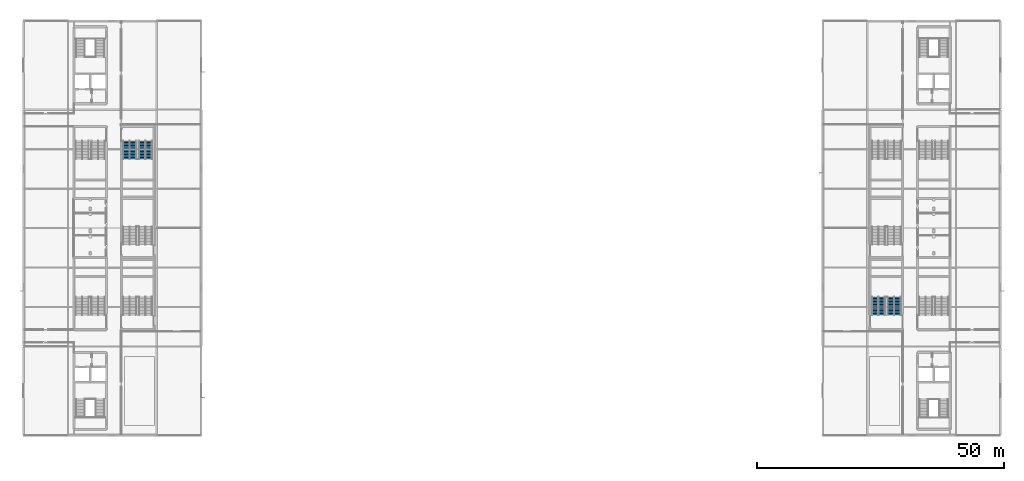
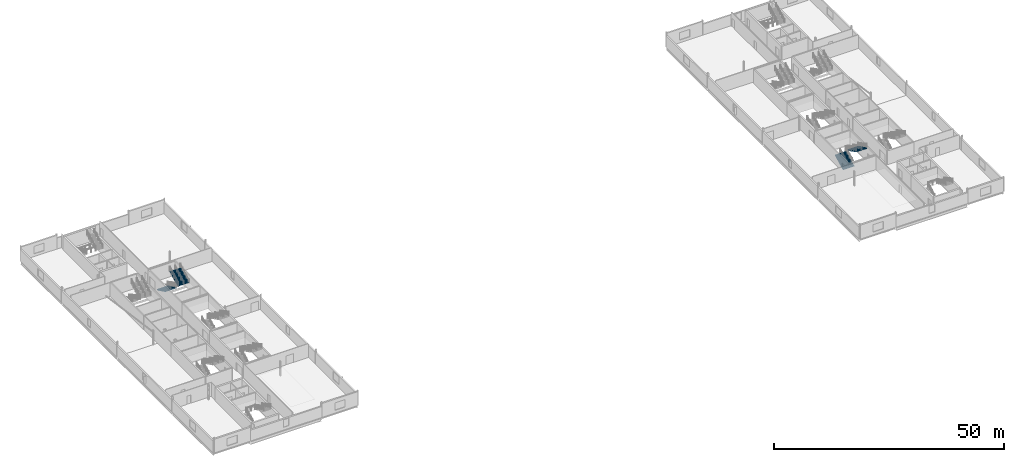
# One storey, part 28 of 35: 4 stair flights, 2 elements without a shape of their own.
"""IFC4 building model written with IfcOpenShell, lengths in metres."""

from ifc_helpers import new_model, si_unit, direction, frame, origin, place, context, subcontext, project, spatial, polygons, material, type_object, element, aggregate, save


model = new_model("IFC4")

# Units and contexts
model_context = context("Model", 3, precision=1e-05, world=origin(), true_north=direction((0.0, 1.0)))
body_context = subcontext(model_context, "Body", "Model", "MODEL_VIEW")
ifc_project = project(units=[si_unit("LENGTHUNIT", "METRE"), si_unit("AREAUNIT", "SQUARE_METRE"), si_unit("VOLUMEUNIT", "CUBIC_METRE"), si_unit("PLANEANGLEUNIT", "RADIAN"), si_unit("MASSUNIT", "GRAM", prefix="KILO")], contexts=[model_context])

# Site, building, storey
site_placement = place(None, origin())
site = spatial("IfcSite", under=ifc_project, at=site_placement, CompositionType="ELEMENT")
building_placement = place(site_placement, origin())
building = spatial("IfcBuilding", under=site, at=building_placement, Name="Kisiwana Market Hall", CompositionType="ELEMENT")
storey_placement = place(building_placement, frame((0.0, 0.0, 61.800048828125)))
storey = spatial("IfcBuildingStorey", under=building, at=storey_placement, Name="L14", CompositionType="ELEMENT", Elevation=61.800048828125)

# Stair, stair flights
ifc_material_1 = material(Name="Concrete C32/40", Category="concrete")
stair_type = type_object("IfcStairType", Name="ST-ESC-3900", PredefinedType="TWO_STRAIGHT_RUN_STAIR", material=ifc_material_1)
stair_1_placement = place(storey_placement, origin())
stair_1 = element("IfcStair", 1, at=stair_1_placement, inside=storey, type_object=stair_type, Name="Escape stair ST-E7-L14", PredefinedType="TWO_STRAIGHT_RUN_STAIR")
ifc_material_2 = material(Name="Concrete C32/40", Category="concrete")
stair_flight_type = type_object("IfcStairFlightType", Name="SF-ESC-3900", PredefinedType="STRAIGHT", material=ifc_material_2)
stair_flight_1_placement = place(storey_placement, frame((173.2900390625, 42.360107421875, 0.0), z_axis=(0.0, 0.0, 1.0), x_axis=(0.0, 1.0, 0.0)))
stair_flight_1 = element("IfcStairFlight", 2, at=stair_flight_1_placement, type_object=stair_flight_type, Name="ST-E7-L14 flight 1", NumberOfRisers=13, NumberOfTreads=12, PredefinedType="STRAIGHT", RiserHeight=0.15, TreadLength=0.305, context=body_context, shape_type="Tessellation", body=[
    polygons([(0.0, -1.380127, 0.0), (0.0, -0.690125, 0.0), (0.0, -0.000122, 0.0), (0.0, 0.68988, 0.0), (0.0, 1.379883, 0.0), (0.0, -1.380127, 0.149902), (0.0, -0.690125, 0.149902), (0.0, -0.000122, 0.149902), (0.0, 0.68988, 0.149902), (0.0, 1.379883, 0.149902), (0.304932, -1.380127, 0.149902), (0.304932, -0.690125, 0.149902), (0.304932, -0.000122, 0.149902), (0.304932, 0.68988, 0.149902), (0.304932, 1.379883, 0.149902), (0.304932, -1.380127, 0.300049), (0.304932, -0.690125, 0.300049), (0.304932, -0.000122, 0.300049), (0.304932, 0.68988, 0.300049), (0.304932, 1.379883, 0.300049), (0.610107, -1.380127, 0.300049), (0.610107, -0.690125, 0.300049), (0.610107, -0.000122, 0.300049), (0.610107, 0.68988, 0.300049), (0.610107, 1.379883, 0.300049), (0.610107, -1.380127, 0.449951), (0.610107, -0.690125, 0.449951), (0.610107, -0.000122, 0.449951), (0.610107, 0.68988, 0.449951), (0.610107, 1.379883, 0.449951), (0.915039, -1.380127, 0.449951), (0.915039, -0.690125, 0.449951), (0.915039, -0.000122, 0.449951), (0.915039, 0.68988, 0.449951), (0.915039, 1.379883, 0.449951), (0.915039, -1.380127, 0.600098), (0.915039, -0.690125, 0.600098), (0.915039, -0.000122, 0.600098), (0.915039, 0.68988, 0.600098), (0.915039, 1.379883, 0.600098), (1.219971, -1.380127, 0.600098), (1.219971, -0.690125, 0.600098), (1.219971, -0.000122, 0.600098), (1.219971, 0.68988, 0.600098), (1.219971, 1.379883, 0.600098), (1.219971, -1.380127, 0.75), (1.219971, -0.690125, 0.75), (1.219971, -0.000122, 0.75), (1.219971, 0.68988, 0.75), (1.219971, 1.379883, 0.75), (1.524902, -1.380127, 0.75), (1.524902, -0.690125, 0.75), (1.524902, -0.000122, 0.75), (1.524902, 0.68988, 0.75), (1.524902, 1.379883, 0.75), (1.524902, -1.380127, 0.899902), (1.524902, -0.690125, 0.899902), (1.524902, -0.000122, 0.899902), (1.524902, 0.68988, 0.899902), (1.524902, 1.379883, 0.899902), (1.830078, -1.380127, 0.899902), (1.830078, -0.690125, 0.899902), (1.830078, -0.000122, 0.899902), (1.830078, 0.68988, 0.899902), (1.830078, 1.379883, 0.899902), (1.830078, -1.380127, 1.050049), (1.830078, -0.690125, 1.050049), (1.830078, -0.000122, 1.050049), (1.830078, 0.68988, 1.050049), (1.830078, 1.379883, 1.050049), (2.13501, -1.380127, 1.050049), (2.13501, -0.690125, 1.050049), (2.13501, -0.000122, 1.050049), (2.13501, 0.68988, 1.050049), (2.13501, 1.379883, 1.050049), (2.13501, -1.380127, 1.199951), (2.13501, -0.690125, 1.199951), (2.13501, -0.000122, 1.199951), (2.13501, 0.68988, 1.199951), (2.13501, 1.379883, 1.199951), (2.439941, -1.380127, 1.199951), (2.439941, -0.690125, 1.199951), (2.439941, -0.000122, 1.199951), (2.439941, 0.68988, 1.199951), (2.439941, 1.379883, 1.199951), (2.439941, -1.380127, 1.350098), (2.439941, -0.690125, 1.350098), (2.439941, -0.000122, 1.350098), (2.439941, 0.68988, 1.350098), (2.439941, 1.379883, 1.350098), (2.745117, -1.380127, 1.350098), (2.745117, -0.690125, 1.350098), (2.745117, -0.000122, 1.350098), (2.745117, 0.68988, 1.350098), (2.745117, 1.379883, 1.350098), (2.745117, -1.380127, 1.5), (2.745117, -0.690125, 1.5), (2.745117, -0.000122, 1.5), (2.745117, 0.68988, 1.5), (2.745117, 1.379883, 1.5), (3.050049, -1.380127, 1.5), (3.050049, -0.690125, 1.5), (3.050049, -0.000122, 1.5), (3.050049, 0.68988, 1.5), (3.050049, 1.379883, 1.5), (3.050049, -1.380127, 1.649902), (3.050049, -0.690125, 1.649902), (3.050049, -0.000122, 1.649902), (3.050049, 0.68988, 1.649902), (3.050049, 1.379883, 1.649902), (3.35498, -1.380127, 1.649902), (3.35498, -0.690125, 1.649902), (3.35498, -0.000122, 1.649902), (3.35498, 0.68988, 1.649902), (3.35498, 1.379883, 1.649902), (3.35498, -1.380127, 1.800049), (3.35498, -0.690125, 1.800049), (3.35498, -0.000122, 1.800049), (3.35498, 0.68988, 1.800049), (3.35498, 1.379883, 1.800049), (3.659912, -1.380127, 1.800049), (3.659912, -0.690125, 1.800049), (3.659912, -0.000122, 1.800049), (3.659912, 0.68988, 1.800049), (3.659912, 1.379883, 1.800049), (3.659912, -1.380127, 1.599365), (3.659912, -0.690125, 1.599365), (3.659912, -0.000122, 1.599365), (3.659912, 0.68988, 1.599365), (3.659912, 1.379883, 1.599365), (0.407715, -1.380127, 0.0), (0.407715, -0.690125, 0.0), (0.407715, -0.000122, 0.0), (0.407715, 0.68988, 0.0), (0.407715, 1.379883, 0.0)], [[[1, 6, 7, 2]], [[2, 7, 8, 3]], [[3, 8, 9, 4]], [[4, 9, 10, 5]], [[6, 11, 12, 7]], [[7, 12, 13, 8]], [[8, 13, 14, 9]], [[9, 14, 15, 10]], [[11, 16, 17, 12]], [[12, 17, 18, 13]], [[13, 18, 19, 14]], [[14, 19, 20, 15]], [[16, 21, 22, 17]], [[17, 22, 23, 18]], [[18, 23, 24, 19]], [[19, 24, 25, 20]], [[21, 26, 27, 22]], [[22, 27, 28, 23]], [[23, 28, 29, 24]], [[24, 29, 30, 25]], [[26, 31, 32, 27]], [[27, 32, 33, 28]], [[28, 33, 34, 29]], [[29, 34, 35, 30]], [[31, 36, 37, 32]], [[32, 37, 38, 33]], [[33, 38, 39, 34]], [[34, 39, 40, 35]], [[36, 41, 42, 37]], [[37, 42, 43, 38]], [[38, 43, 44, 39]], [[39, 44, 45, 40]], [[41, 46, 47, 42]], [[42, 47, 48, 43]], [[43, 48, 49, 44]], [[44, 49, 50, 45]], [[46, 51, 52, 47]], [[47, 52, 53, 48]], [[48, 53, 54, 49]], [[49, 54, 55, 50]], [[51, 56, 57, 52]], [[52, 57, 58, 53]], [[53, 58, 59, 54]], [[54, 59, 60, 55]], [[56, 61, 62, 57]], [[57, 62, 63, 58]], [[58, 63, 64, 59]], [[59, 64, 65, 60]], [[61, 66, 67, 62]], [[62, 67, 68, 63]], [[63, 68, 69, 64]], [[64, 69, 70, 65]], [[66, 71, 72, 67]], [[67, 72, 73, 68]], [[68, 73, 74, 69]], [[69, 74, 75, 70]], [[71, 76, 77, 72]], [[72, 77, 78, 73]], [[73, 78, 79, 74]], [[74, 79, 80, 75]], [[76, 81, 82, 77]], [[77, 82, 83, 78]], [[78, 83, 84, 79]], [[79, 84, 85, 80]], [[81, 86, 87, 82]], [[82, 87, 88, 83]], [[83, 88, 89, 84]], [[84, 89, 90, 85]], [[86, 91, 92, 87]], [[87, 92, 93, 88]], [[88, 93, 94, 89]], [[89, 94, 95, 90]], [[91, 96, 97, 92]], [[92, 97, 98, 93]], [[93, 98, 99, 94]], [[94, 99, 100, 95]], [[96, 101, 102, 97]], [[97, 102, 103, 98]], [[98, 103, 104, 99]], [[99, 104, 105, 100]], [[101, 106, 107, 102]], [[102, 107, 108, 103]], [[103, 108, 109, 104]], [[104, 109, 110, 105]], [[106, 111, 112, 107]], [[107, 112, 113, 108]], [[108, 113, 114, 109]], [[109, 114, 115, 110]], [[111, 116, 117, 112]], [[112, 117, 118, 113]], [[113, 118, 119, 114]], [[114, 119, 120, 115]], [[116, 121, 122, 117]], [[117, 122, 123, 118]], [[118, 123, 124, 119]], [[119, 124, 125, 120]], [[121, 126, 127, 122]], [[122, 127, 128, 123]], [[123, 128, 129, 124]], [[124, 129, 130, 125]], [[126, 131, 132, 127]], [[127, 132, 133, 128]], [[128, 133, 134, 129]], [[129, 134, 135, 130]], [[131, 1, 2, 132]], [[132, 2, 3, 133]], [[133, 3, 4, 134]], [[134, 4, 5, 135]], [[131, 126, 121, 116, 111, 106, 101, 96, 91, 86, 81, 76, 71, 66, 61, 56, 51, 46, 41, 36, 31, 26, 21, 16, 11, 6, 1]], [[5, 10, 15, 20, 25, 30, 35, 40, 45, 50, 55, 60, 65, 70, 75, 80, 85, 90, 95, 100, 105, 110, 115, 120, 125, 130, 135]]], closed=True),
])
stair_flight_2_placement = place(storey_placement, frame((176.510009765625, 46.02001953125, 1.949951171875), z_axis=(0.0, 0.0, 1.0), x_axis=(0.0, -1.0, 0.0)))
stair_flight_2 = element("IfcStairFlight", 3, at=stair_flight_2_placement, type_object=stair_flight_type, Name="ST-E7-L14 flight 2", NumberOfRisers=13, NumberOfTreads=12, PredefinedType="STRAIGHT", RiserHeight=0.15, TreadLength=0.305, context=body_context, shape_type="Tessellation", body=[
    polygons([(0.0, -1.380127, 0.0), (0.0, -0.690125, 0.0), (0.0, -0.000122, 0.0), (0.0, 0.68988, 0.0), (0.0, 1.379883, 0.0), (0.0, -1.380127, 0.149902), (0.0, -0.690125, 0.149902), (0.0, -0.000122, 0.149902), (0.0, 0.68988, 0.149902), (0.0, 1.379883, 0.149902), (0.304932, -1.380127, 0.149902), (0.304932, -0.690125, 0.149902), (0.304932, -0.000122, 0.149902), (0.304932, 0.68988, 0.149902), (0.304932, 1.379883, 0.149902), (0.304932, -1.380127, 0.300049), (0.304932, -0.690125, 0.300049), (0.304932, -0.000122, 0.300049), (0.304932, 0.68988, 0.300049), (0.304932, 1.379883, 0.300049), (0.610107, -1.380127, 0.300049), (0.610107, -0.690125, 0.300049), (0.610107, -0.000122, 0.300049), (0.610107, 0.68988, 0.300049), (0.610107, 1.379883, 0.300049), (0.610107, -1.380127, 0.449951), (0.610107, -0.690125, 0.449951), (0.610107, -0.000122, 0.449951), (0.610107, 0.68988, 0.449951), (0.610107, 1.379883, 0.449951), (0.915039, -1.380127, 0.449951), (0.915039, -0.690125, 0.449951), (0.915039, -0.000122, 0.449951), (0.915039, 0.68988, 0.449951), (0.915039, 1.379883, 0.449951), (0.915039, -1.380127, 0.600098), (0.915039, -0.690125, 0.600098), (0.915039, -0.000122, 0.600098), (0.915039, 0.68988, 0.600098), (0.915039, 1.379883, 0.600098), (1.219971, -1.380127, 0.600098), (1.219971, -0.690125, 0.600098), (1.219971, -0.000122, 0.600098), (1.219971, 0.68988, 0.600098), (1.219971, 1.379883, 0.600098), (1.219971, -1.380127, 0.75), (1.219971, -0.690125, 0.75), (1.219971, -0.000122, 0.75), (1.219971, 0.68988, 0.75), (1.219971, 1.379883, 0.75), (1.524902, -1.380127, 0.75), (1.524902, -0.690125, 0.75), (1.524902, -0.000122, 0.75), (1.524902, 0.68988, 0.75), (1.524902, 1.379883, 0.75), (1.524902, -1.380127, 0.899902), (1.524902, -0.690125, 0.899902), (1.524902, -0.000122, 0.899902), (1.524902, 0.68988, 0.899902), (1.524902, 1.379883, 0.899902), (1.830078, -1.380127, 0.899902), (1.830078, -0.690125, 0.899902), (1.830078, -0.000122, 0.899902), (1.830078, 0.68988, 0.899902), (1.830078, 1.379883, 0.899902), (1.830078, -1.380127, 1.050049), (1.830078, -0.690125, 1.050049), (1.830078, -0.000122, 1.050049), (1.830078, 0.68988, 1.050049), (1.830078, 1.379883, 1.050049), (2.13501, -1.380127, 1.050049), (2.13501, -0.690125, 1.050049), (2.13501, -0.000122, 1.050049), (2.13501, 0.68988, 1.050049), (2.13501, 1.379883, 1.050049), (2.13501, -1.380127, 1.199951), (2.13501, -0.690125, 1.199951), (2.13501, -0.000122, 1.199951), (2.13501, 0.68988, 1.199951), (2.13501, 1.379883, 1.199951), (2.439941, -1.380127, 1.199951), (2.439941, -0.690125, 1.199951), (2.439941, -0.000122, 1.199951), (2.439941, 0.68988, 1.199951), (2.439941, 1.379883, 1.199951), (2.439941, -1.380127, 1.350098), (2.439941, -0.690125, 1.350098), (2.439941, -0.000122, 1.350098), (2.439941, 0.68988, 1.350098), (2.439941, 1.379883, 1.350098), (2.745117, -1.380127, 1.350098), (2.745117, -0.690125, 1.350098), (2.745117, -0.000122, 1.350098), (2.745117, 0.68988, 1.350098), (2.745117, 1.379883, 1.350098), (2.745117, -1.380127, 1.5), (2.745117, -0.690125, 1.5), (2.745117, -0.000122, 1.5), (2.745117, 0.68988, 1.5), (2.745117, 1.379883, 1.5), (3.050049, -1.380127, 1.5), (3.050049, -0.690125, 1.5), (3.050049, -0.000122, 1.5), (3.050049, 0.68988, 1.5), (3.050049, 1.379883, 1.5), (3.050049, -1.380127, 1.649902), (3.050049, -0.690125, 1.649902), (3.050049, -0.000122, 1.649902), (3.050049, 0.68988, 1.649902), (3.050049, 1.379883, 1.649902), (3.35498, -1.380127, 1.649902), (3.35498, -0.690125, 1.649902), (3.35498, -0.000122, 1.649902), (3.35498, 0.68988, 1.649902), (3.35498, 1.379883, 1.649902), (3.35498, -1.380127, 1.800049), (3.35498, -0.690125, 1.800049), (3.35498, -0.000122, 1.800049), (3.35498, 0.68988, 1.800049), (3.35498, 1.379883, 1.800049), (3.659912, -1.380127, 1.800049), (3.659912, -0.690125, 1.800049), (3.659912, -0.000122, 1.800049), (3.659912, 0.68988, 1.800049), (3.659912, 1.379883, 1.800049), (3.659912, -1.380127, 1.599365), (3.659912, -0.690125, 1.599365), (3.659912, -0.000122, 1.599365), (3.659912, 0.68988, 1.599365), (3.659912, 1.379883, 1.599365), (0.407715, -1.380127, 0.0), (0.407715, -0.690125, 0.0), (0.407715, -0.000122, 0.0), (0.407715, 0.68988, 0.0), (0.407715, 1.379883, 0.0)], [[[1, 6, 7, 2]], [[2, 7, 8, 3]], [[3, 8, 9, 4]], [[4, 9, 10, 5]], [[6, 11, 12, 7]], [[7, 12, 13, 8]], [[8, 13, 14, 9]], [[9, 14, 15, 10]], [[11, 16, 17, 12]], [[12, 17, 18, 13]], [[13, 18, 19, 14]], [[14, 19, 20, 15]], [[16, 21, 22, 17]], [[17, 22, 23, 18]], [[18, 23, 24, 19]], [[19, 24, 25, 20]], [[21, 26, 27, 22]], [[22, 27, 28, 23]], [[23, 28, 29, 24]], [[24, 29, 30, 25]], [[26, 31, 32, 27]], [[27, 32, 33, 28]], [[28, 33, 34, 29]], [[29, 34, 35, 30]], [[31, 36, 37, 32]], [[32, 37, 38, 33]], [[33, 38, 39, 34]], [[34, 39, 40, 35]], [[36, 41, 42, 37]], [[37, 42, 43, 38]], [[38, 43, 44, 39]], [[39, 44, 45, 40]], [[41, 46, 47, 42]], [[42, 47, 48, 43]], [[43, 48, 49, 44]], [[44, 49, 50, 45]], [[46, 51, 52, 47]], [[47, 52, 53, 48]], [[48, 53, 54, 49]], [[49, 54, 55, 50]], [[51, 56, 57, 52]], [[52, 57, 58, 53]], [[53, 58, 59, 54]], [[54, 59, 60, 55]], [[56, 61, 62, 57]], [[57, 62, 63, 58]], [[58, 63, 64, 59]], [[59, 64, 65, 60]], [[61, 66, 67, 62]], [[62, 67, 68, 63]], [[63, 68, 69, 64]], [[64, 69, 70, 65]], [[66, 71, 72, 67]], [[67, 72, 73, 68]], [[68, 73, 74, 69]], [[69, 74, 75, 70]], [[71, 76, 77, 72]], [[72, 77, 78, 73]], [[73, 78, 79, 74]], [[74, 79, 80, 75]], [[76, 81, 82, 77]], [[77, 82, 83, 78]], [[78, 83, 84, 79]], [[79, 84, 85, 80]], [[81, 86, 87, 82]], [[82, 87, 88, 83]], [[83, 88, 89, 84]], [[84, 89, 90, 85]], [[86, 91, 92, 87]], [[87, 92, 93, 88]], [[88, 93, 94, 89]], [[89, 94, 95, 90]], [[91, 96, 97, 92]], [[92, 97, 98, 93]], [[93, 98, 99, 94]], [[94, 99, 100, 95]], [[96, 101, 102, 97]], [[97, 102, 103, 98]], [[98, 103, 104, 99]], [[99, 104, 105, 100]], [[101, 106, 107, 102]], [[102, 107, 108, 103]], [[103, 108, 109, 104]], [[104, 109, 110, 105]], [[106, 111, 112, 107]], [[107, 112, 113, 108]], [[108, 113, 114, 109]], [[109, 114, 115, 110]], [[111, 116, 117, 112]], [[112, 117, 118, 113]], [[113, 118, 119, 114]], [[114, 119, 120, 115]], [[116, 121, 122, 117]], [[117, 122, 123, 118]], [[118, 123, 124, 119]], [[119, 124, 125, 120]], [[121, 126, 127, 122]], [[122, 127, 128, 123]], [[123, 128, 129, 124]], [[124, 129, 130, 125]], [[126, 131, 132, 127]], [[127, 132, 133, 128]], [[128, 133, 134, 129]], [[129, 134, 135, 130]], [[131, 1, 2, 132]], [[132, 2, 3, 133]], [[133, 3, 4, 134]], [[134, 4, 5, 135]], [[131, 126, 121, 116, 111, 106, 101, 96, 91, 86, 81, 76, 71, 66, 61, 56, 51, 46, 41, 36, 31, 26, 21, 16, 11, 6, 1]], [[5, 10, 15, 20, 25, 30, 35, 40, 45, 50, 55, 60, 65, 70, 75, 80, 85, 90, 95, 100, 105, 110, 115, 120, 125, 130, 135]]], closed=True),
])
aggregate(stair_1, [stair_flight_1, stair_flight_2])

stair_2_placement = place(storey_placement, origin())
stair_2 = element("IfcStair", 4, at=stair_2_placement, inside=storey, type_object=stair_type, Name="Escape stair ST-W8-L14", PredefinedType="TWO_STRAIGHT_RUN_STAIR")
stair_flight_3_placement = place(storey_placement, frame((21.489990234375, 77.639892578125, 0.0), z_axis=(0.0, 0.0, 1.0), x_axis=(0.0, -1.0, 0.0)))
stair_flight_3 = element("IfcStairFlight", 5, at=stair_flight_3_placement, type_object=stair_flight_type, Name="ST-W8-L14 flight 1", NumberOfRisers=13, NumberOfTreads=12, PredefinedType="STRAIGHT", RiserHeight=0.15, TreadLength=0.305, context=body_context, shape_type="Tessellation", body=[
    polygons([(0.0, -1.380127, 0.0), (0.0, -0.690125, 0.0), (0.0, -0.000122, 0.0), (0.0, 0.68988, 0.0), (0.0, 1.379883, 0.0), (0.0, -1.380127, 0.149902), (0.0, -0.690125, 0.149902), (0.0, -0.000122, 0.149902), (0.0, 0.68988, 0.149902), (0.0, 1.379883, 0.149902), (0.304932, -1.380127, 0.149902), (0.304932, -0.690125, 0.149902), (0.304932, -0.000122, 0.149902), (0.304932, 0.68988, 0.149902), (0.304932, 1.379883, 0.149902), (0.304932, -1.380127, 0.300049), (0.304932, -0.690125, 0.300049), (0.304932, -0.000122, 0.300049), (0.304932, 0.68988, 0.300049), (0.304932, 1.379883, 0.300049), (0.610107, -1.380127, 0.300049), (0.610107, -0.690125, 0.300049), (0.610107, -0.000122, 0.300049), (0.610107, 0.68988, 0.300049), (0.610107, 1.379883, 0.300049), (0.610107, -1.380127, 0.449951), (0.610107, -0.690125, 0.449951), (0.610107, -0.000122, 0.449951), (0.610107, 0.68988, 0.449951), (0.610107, 1.379883, 0.449951), (0.915039, -1.380127, 0.449951), (0.915039, -0.690125, 0.449951), (0.915039, -0.000122, 0.449951), (0.915039, 0.68988, 0.449951), (0.915039, 1.379883, 0.449951), (0.915039, -1.380127, 0.600098), (0.915039, -0.690125, 0.600098), (0.915039, -0.000122, 0.600098), (0.915039, 0.68988, 0.600098), (0.915039, 1.379883, 0.600098), (1.219971, -1.380127, 0.600098), (1.219971, -0.690125, 0.600098), (1.219971, -0.000122, 0.600098), (1.219971, 0.68988, 0.600098), (1.219971, 1.379883, 0.600098), (1.219971, -1.380127, 0.75), (1.219971, -0.690125, 0.75), (1.219971, -0.000122, 0.75), (1.219971, 0.68988, 0.75), (1.219971, 1.379883, 0.75), (1.524902, -1.380127, 0.75), (1.524902, -0.690125, 0.75), (1.524902, -0.000122, 0.75), (1.524902, 0.68988, 0.75), (1.524902, 1.379883, 0.75), (1.524902, -1.380127, 0.899902), (1.524902, -0.690125, 0.899902), (1.524902, -0.000122, 0.899902), (1.524902, 0.68988, 0.899902), (1.524902, 1.379883, 0.899902), (1.830078, -1.380127, 0.899902), (1.830078, -0.690125, 0.899902), (1.830078, -0.000122, 0.899902), (1.830078, 0.68988, 0.899902), (1.830078, 1.379883, 0.899902), (1.830078, -1.380127, 1.050049), (1.830078, -0.690125, 1.050049), (1.830078, -0.000122, 1.050049), (1.830078, 0.68988, 1.050049), (1.830078, 1.379883, 1.050049), (2.13501, -1.380127, 1.050049), (2.13501, -0.690125, 1.050049), (2.13501, -0.000122, 1.050049), (2.13501, 0.68988, 1.050049), (2.13501, 1.379883, 1.050049), (2.13501, -1.380127, 1.199951), (2.13501, -0.690125, 1.199951), (2.13501, -0.000122, 1.199951), (2.13501, 0.68988, 1.199951), (2.13501, 1.379883, 1.199951), (2.439941, -1.380127, 1.199951), (2.439941, -0.690125, 1.199951), (2.439941, -0.000122, 1.199951), (2.439941, 0.68988, 1.199951), (2.439941, 1.379883, 1.199951), (2.439941, -1.380127, 1.350098), (2.439941, -0.690125, 1.350098), (2.439941, -0.000122, 1.350098), (2.439941, 0.68988, 1.350098), (2.439941, 1.379883, 1.350098), (2.745117, -1.380127, 1.350098), (2.745117, -0.690125, 1.350098), (2.745117, -0.000122, 1.350098), (2.745117, 0.68988, 1.350098), (2.745117, 1.379883, 1.350098), (2.745117, -1.380127, 1.5), (2.745117, -0.690125, 1.5), (2.745117, -0.000122, 1.5), (2.745117, 0.68988, 1.5), (2.745117, 1.379883, 1.5), (3.050049, -1.380127, 1.5), (3.050049, -0.690125, 1.5), (3.050049, -0.000122, 1.5), (3.050049, 0.68988, 1.5), (3.050049, 1.379883, 1.5), (3.050049, -1.380127, 1.649902), (3.050049, -0.690125, 1.649902), (3.050049, -0.000122, 1.649902), (3.050049, 0.68988, 1.649902), (3.050049, 1.379883, 1.649902), (3.35498, -1.380127, 1.649902), (3.35498, -0.690125, 1.649902), (3.35498, -0.000122, 1.649902), (3.35498, 0.68988, 1.649902), (3.35498, 1.379883, 1.649902), (3.35498, -1.380127, 1.800049), (3.35498, -0.690125, 1.800049), (3.35498, -0.000122, 1.800049), (3.35498, 0.68988, 1.800049), (3.35498, 1.379883, 1.800049), (3.659912, -1.380127, 1.800049), (3.659912, -0.690125, 1.800049), (3.659912, -0.000122, 1.800049), (3.659912, 0.68988, 1.800049), (3.659912, 1.379883, 1.800049), (3.659912, -1.380127, 1.599365), (3.659912, -0.690125, 1.599365), (3.659912, -0.000122, 1.599365), (3.659912, 0.68988, 1.599365), (3.659912, 1.379883, 1.599365), (0.407715, -1.380127, 0.0), (0.407715, -0.690125, 0.0), (0.407715, -0.000122, 0.0), (0.407715, 0.68988, 0.0), (0.407715, 1.379883, 0.0)], [[[1, 6, 7, 2]], [[2, 7, 8, 3]], [[3, 8, 9, 4]], [[4, 9, 10, 5]], [[6, 11, 12, 7]], [[7, 12, 13, 8]], [[8, 13, 14, 9]], [[9, 14, 15, 10]], [[11, 16, 17, 12]], [[12, 17, 18, 13]], [[13, 18, 19, 14]], [[14, 19, 20, 15]], [[16, 21, 22, 17]], [[17, 22, 23, 18]], [[18, 23, 24, 19]], [[19, 24, 25, 20]], [[21, 26, 27, 22]], [[22, 27, 28, 23]], [[23, 28, 29, 24]], [[24, 29, 30, 25]], [[26, 31, 32, 27]], [[27, 32, 33, 28]], [[28, 33, 34, 29]], [[29, 34, 35, 30]], [[31, 36, 37, 32]], [[32, 37, 38, 33]], [[33, 38, 39, 34]], [[34, 39, 40, 35]], [[36, 41, 42, 37]], [[37, 42, 43, 38]], [[38, 43, 44, 39]], [[39, 44, 45, 40]], [[41, 46, 47, 42]], [[42, 47, 48, 43]], [[43, 48, 49, 44]], [[44, 49, 50, 45]], [[46, 51, 52, 47]], [[47, 52, 53, 48]], [[48, 53, 54, 49]], [[49, 54, 55, 50]], [[51, 56, 57, 52]], [[52, 57, 58, 53]], [[53, 58, 59, 54]], [[54, 59, 60, 55]], [[56, 61, 62, 57]], [[57, 62, 63, 58]], [[58, 63, 64, 59]], [[59, 64, 65, 60]], [[61, 66, 67, 62]], [[62, 67, 68, 63]], [[63, 68, 69, 64]], [[64, 69, 70, 65]], [[66, 71, 72, 67]], [[67, 72, 73, 68]], [[68, 73, 74, 69]], [[69, 74, 75, 70]], [[71, 76, 77, 72]], [[72, 77, 78, 73]], [[73, 78, 79, 74]], [[74, 79, 80, 75]], [[76, 81, 82, 77]], [[77, 82, 83, 78]], [[78, 83, 84, 79]], [[79, 84, 85, 80]], [[81, 86, 87, 82]], [[82, 87, 88, 83]], [[83, 88, 89, 84]], [[84, 89, 90, 85]], [[86, 91, 92, 87]], [[87, 92, 93, 88]], [[88, 93, 94, 89]], [[89, 94, 95, 90]], [[91, 96, 97, 92]], [[92, 97, 98, 93]], [[93, 98, 99, 94]], [[94, 99, 100, 95]], [[96, 101, 102, 97]], [[97, 102, 103, 98]], [[98, 103, 104, 99]], [[99, 104, 105, 100]], [[101, 106, 107, 102]], [[102, 107, 108, 103]], [[103, 108, 109, 104]], [[104, 109, 110, 105]], [[106, 111, 112, 107]], [[107, 112, 113, 108]], [[108, 113, 114, 109]], [[109, 114, 115, 110]], [[111, 116, 117, 112]], [[112, 117, 118, 113]], [[113, 118, 119, 114]], [[114, 119, 120, 115]], [[116, 121, 122, 117]], [[117, 122, 123, 118]], [[118, 123, 124, 119]], [[119, 124, 125, 120]], [[121, 126, 127, 122]], [[122, 127, 128, 123]], [[123, 128, 129, 124]], [[124, 129, 130, 125]], [[126, 131, 132, 127]], [[127, 132, 133, 128]], [[128, 133, 134, 129]], [[129, 134, 135, 130]], [[131, 1, 2, 132]], [[132, 2, 3, 133]], [[133, 3, 4, 134]], [[134, 4, 5, 135]], [[131, 126, 121, 116, 111, 106, 101, 96, 91, 86, 81, 76, 71, 66, 61, 56, 51, 46, 41, 36, 31, 26, 21, 16, 11, 6, 1]], [[5, 10, 15, 20, 25, 30, 35, 40, 45, 50, 55, 60, 65, 70, 75, 80, 85, 90, 95, 100, 105, 110, 115, 120, 125, 130, 135]]], closed=True),
])
stair_flight_4_placement = place(storey_placement, frame((24.7099609375, 73.97998046875, 1.949951171875), z_axis=(0.0, 0.0, 1.0), x_axis=(0.0, 1.0, 0.0)))
stair_flight_4 = element("IfcStairFlight", 6, at=stair_flight_4_placement, type_object=stair_flight_type, Name="ST-W8-L14 flight 2", NumberOfRisers=13, NumberOfTreads=12, PredefinedType="STRAIGHT", RiserHeight=0.15, TreadLength=0.305, context=body_context, shape_type="Tessellation", body=[
    polygons([(0.0, -1.380127, 0.0), (0.0, -0.690125, 0.0), (0.0, -0.000122, 0.0), (0.0, 0.68988, 0.0), (0.0, 1.379883, 0.0), (0.0, -1.380127, 0.149902), (0.0, -0.690125, 0.149902), (0.0, -0.000122, 0.149902), (0.0, 0.68988, 0.149902), (0.0, 1.379883, 0.149902), (0.304932, -1.380127, 0.149902), (0.304932, -0.690125, 0.149902), (0.304932, -0.000122, 0.149902), (0.304932, 0.68988, 0.149902), (0.304932, 1.379883, 0.149902), (0.304932, -1.380127, 0.300049), (0.304932, -0.690125, 0.300049), (0.304932, -0.000122, 0.300049), (0.304932, 0.68988, 0.300049), (0.304932, 1.379883, 0.300049), (0.610107, -1.380127, 0.300049), (0.610107, -0.690125, 0.300049), (0.610107, -0.000122, 0.300049), (0.610107, 0.68988, 0.300049), (0.610107, 1.379883, 0.300049), (0.610107, -1.380127, 0.449951), (0.610107, -0.690125, 0.449951), (0.610107, -0.000122, 0.449951), (0.610107, 0.68988, 0.449951), (0.610107, 1.379883, 0.449951), (0.915039, -1.380127, 0.449951), (0.915039, -0.690125, 0.449951), (0.915039, -0.000122, 0.449951), (0.915039, 0.68988, 0.449951), (0.915039, 1.379883, 0.449951), (0.915039, -1.380127, 0.600098), (0.915039, -0.690125, 0.600098), (0.915039, -0.000122, 0.600098), (0.915039, 0.68988, 0.600098), (0.915039, 1.379883, 0.600098), (1.219971, -1.380127, 0.600098), (1.219971, -0.690125, 0.600098), (1.219971, -0.000122, 0.600098), (1.219971, 0.68988, 0.600098), (1.219971, 1.379883, 0.600098), (1.219971, -1.380127, 0.75), (1.219971, -0.690125, 0.75), (1.219971, -0.000122, 0.75), (1.219971, 0.68988, 0.75), (1.219971, 1.379883, 0.75), (1.524902, -1.380127, 0.75), (1.524902, -0.690125, 0.75), (1.524902, -0.000122, 0.75), (1.524902, 0.68988, 0.75), (1.524902, 1.379883, 0.75), (1.524902, -1.380127, 0.899902), (1.524902, -0.690125, 0.899902), (1.524902, -0.000122, 0.899902), (1.524902, 0.68988, 0.899902), (1.524902, 1.379883, 0.899902), (1.830078, -1.380127, 0.899902), (1.830078, -0.690125, 0.899902), (1.830078, -0.000122, 0.899902), (1.830078, 0.68988, 0.899902), (1.830078, 1.379883, 0.899902), (1.830078, -1.380127, 1.050049), (1.830078, -0.690125, 1.050049), (1.830078, -0.000122, 1.050049), (1.830078, 0.68988, 1.050049), (1.830078, 1.379883, 1.050049), (2.13501, -1.380127, 1.050049), (2.13501, -0.690125, 1.050049), (2.13501, -0.000122, 1.050049), (2.13501, 0.68988, 1.050049), (2.13501, 1.379883, 1.050049), (2.13501, -1.380127, 1.199951), (2.13501, -0.690125, 1.199951), (2.13501, -0.000122, 1.199951), (2.13501, 0.68988, 1.199951), (2.13501, 1.379883, 1.199951), (2.439941, -1.380127, 1.199951), (2.439941, -0.690125, 1.199951), (2.439941, -0.000122, 1.199951), (2.439941, 0.68988, 1.199951), (2.439941, 1.379883, 1.199951), (2.439941, -1.380127, 1.350098), (2.439941, -0.690125, 1.350098), (2.439941, -0.000122, 1.350098), (2.439941, 0.68988, 1.350098), (2.439941, 1.379883, 1.350098), (2.745117, -1.380127, 1.350098), (2.745117, -0.690125, 1.350098), (2.745117, -0.000122, 1.350098), (2.745117, 0.68988, 1.350098), (2.745117, 1.379883, 1.350098), (2.745117, -1.380127, 1.5), (2.745117, -0.690125, 1.5), (2.745117, -0.000122, 1.5), (2.745117, 0.68988, 1.5), (2.745117, 1.379883, 1.5), (3.050049, -1.380127, 1.5), (3.050049, -0.690125, 1.5), (3.050049, -0.000122, 1.5), (3.050049, 0.68988, 1.5), (3.050049, 1.379883, 1.5), (3.050049, -1.380127, 1.649902), (3.050049, -0.690125, 1.649902), (3.050049, -0.000122, 1.649902), (3.050049, 0.68988, 1.649902), (3.050049, 1.379883, 1.649902), (3.35498, -1.380127, 1.649902), (3.35498, -0.690125, 1.649902), (3.35498, -0.000122, 1.649902), (3.35498, 0.68988, 1.649902), (3.35498, 1.379883, 1.649902), (3.35498, -1.380127, 1.800049), (3.35498, -0.690125, 1.800049), (3.35498, -0.000122, 1.800049), (3.35498, 0.68988, 1.800049), (3.35498, 1.379883, 1.800049), (3.659912, -1.380127, 1.800049), (3.659912, -0.690125, 1.800049), (3.659912, -0.000122, 1.800049), (3.659912, 0.68988, 1.800049), (3.659912, 1.379883, 1.800049), (3.659912, -1.380127, 1.599365), (3.659912, -0.690125, 1.599365), (3.659912, -0.000122, 1.599365), (3.659912, 0.68988, 1.599365), (3.659912, 1.379883, 1.599365), (0.407715, -1.380127, 0.0), (0.407715, -0.690125, 0.0), (0.407715, -0.000122, 0.0), (0.407715, 0.68988, 0.0), (0.407715, 1.379883, 0.0)], [[[1, 6, 7, 2]], [[2, 7, 8, 3]], [[3, 8, 9, 4]], [[4, 9, 10, 5]], [[6, 11, 12, 7]], [[7, 12, 13, 8]], [[8, 13, 14, 9]], [[9, 14, 15, 10]], [[11, 16, 17, 12]], [[12, 17, 18, 13]], [[13, 18, 19, 14]], [[14, 19, 20, 15]], [[16, 21, 22, 17]], [[17, 22, 23, 18]], [[18, 23, 24, 19]], [[19, 24, 25, 20]], [[21, 26, 27, 22]], [[22, 27, 28, 23]], [[23, 28, 29, 24]], [[24, 29, 30, 25]], [[26, 31, 32, 27]], [[27, 32, 33, 28]], [[28, 33, 34, 29]], [[29, 34, 35, 30]], [[31, 36, 37, 32]], [[32, 37, 38, 33]], [[33, 38, 39, 34]], [[34, 39, 40, 35]], [[36, 41, 42, 37]], [[37, 42, 43, 38]], [[38, 43, 44, 39]], [[39, 44, 45, 40]], [[41, 46, 47, 42]], [[42, 47, 48, 43]], [[43, 48, 49, 44]], [[44, 49, 50, 45]], [[46, 51, 52, 47]], [[47, 52, 53, 48]], [[48, 53, 54, 49]], [[49, 54, 55, 50]], [[51, 56, 57, 52]], [[52, 57, 58, 53]], [[53, 58, 59, 54]], [[54, 59, 60, 55]], [[56, 61, 62, 57]], [[57, 62, 63, 58]], [[58, 63, 64, 59]], [[59, 64, 65, 60]], [[61, 66, 67, 62]], [[62, 67, 68, 63]], [[63, 68, 69, 64]], [[64, 69, 70, 65]], [[66, 71, 72, 67]], [[67, 72, 73, 68]], [[68, 73, 74, 69]], [[69, 74, 75, 70]], [[71, 76, 77, 72]], [[72, 77, 78, 73]], [[73, 78, 79, 74]], [[74, 79, 80, 75]], [[76, 81, 82, 77]], [[77, 82, 83, 78]], [[78, 83, 84, 79]], [[79, 84, 85, 80]], [[81, 86, 87, 82]], [[82, 87, 88, 83]], [[83, 88, 89, 84]], [[84, 89, 90, 85]], [[86, 91, 92, 87]], [[87, 92, 93, 88]], [[88, 93, 94, 89]], [[89, 94, 95, 90]], [[91, 96, 97, 92]], [[92, 97, 98, 93]], [[93, 98, 99, 94]], [[94, 99, 100, 95]], [[96, 101, 102, 97]], [[97, 102, 103, 98]], [[98, 103, 104, 99]], [[99, 104, 105, 100]], [[101, 106, 107, 102]], [[102, 107, 108, 103]], [[103, 108, 109, 104]], [[104, 109, 110, 105]], [[106, 111, 112, 107]], [[107, 112, 113, 108]], [[108, 113, 114, 109]], [[109, 114, 115, 110]], [[111, 116, 117, 112]], [[112, 117, 118, 113]], [[113, 118, 119, 114]], [[114, 119, 120, 115]], [[116, 121, 122, 117]], [[117, 122, 123, 118]], [[118, 123, 124, 119]], [[119, 124, 125, 120]], [[121, 126, 127, 122]], [[122, 127, 128, 123]], [[123, 128, 129, 124]], [[124, 129, 130, 125]], [[126, 131, 132, 127]], [[127, 132, 133, 128]], [[128, 133, 134, 129]], [[129, 134, 135, 130]], [[131, 1, 2, 132]], [[132, 2, 3, 133]], [[133, 3, 4, 134]], [[134, 4, 5, 135]], [[131, 126, 121, 116, 111, 106, 101, 96, 91, 86, 81, 76, 71, 66, 61, 56, 51, 46, 41, 36, 31, 26, 21, 16, 11, 6, 1]], [[5, 10, 15, 20, 25, 30, 35, 40, 45, 50, 55, 60, 65, 70, 75, 80, 85, 90, 95, 100, 105, 110, 115, 120, 125, 130, 135]]], closed=True),
])
aggregate(stair_2, [stair_flight_3, stair_flight_4])

save(model, "model.ifc")
